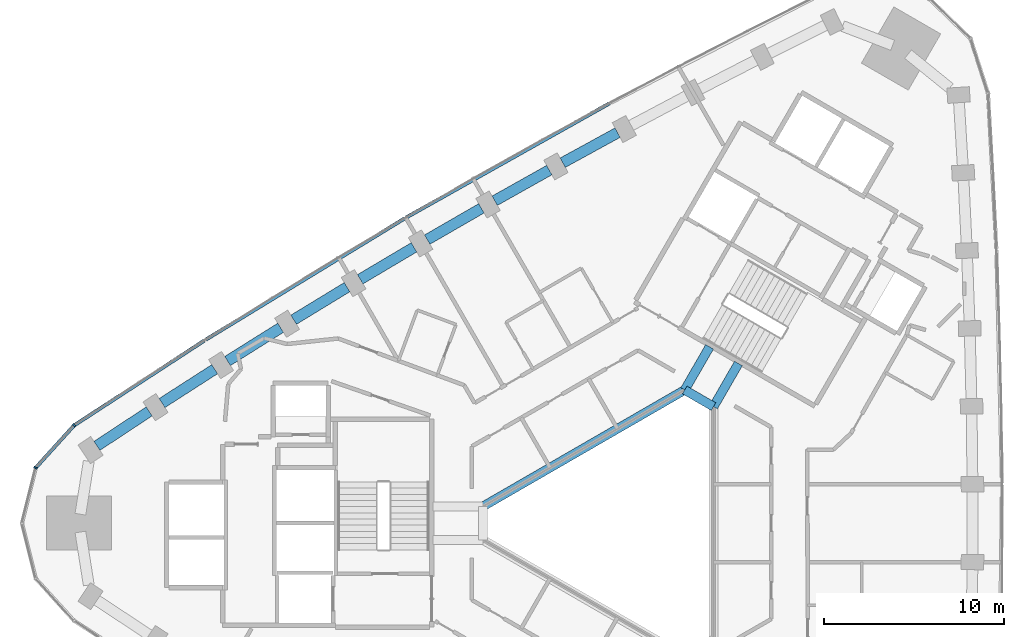
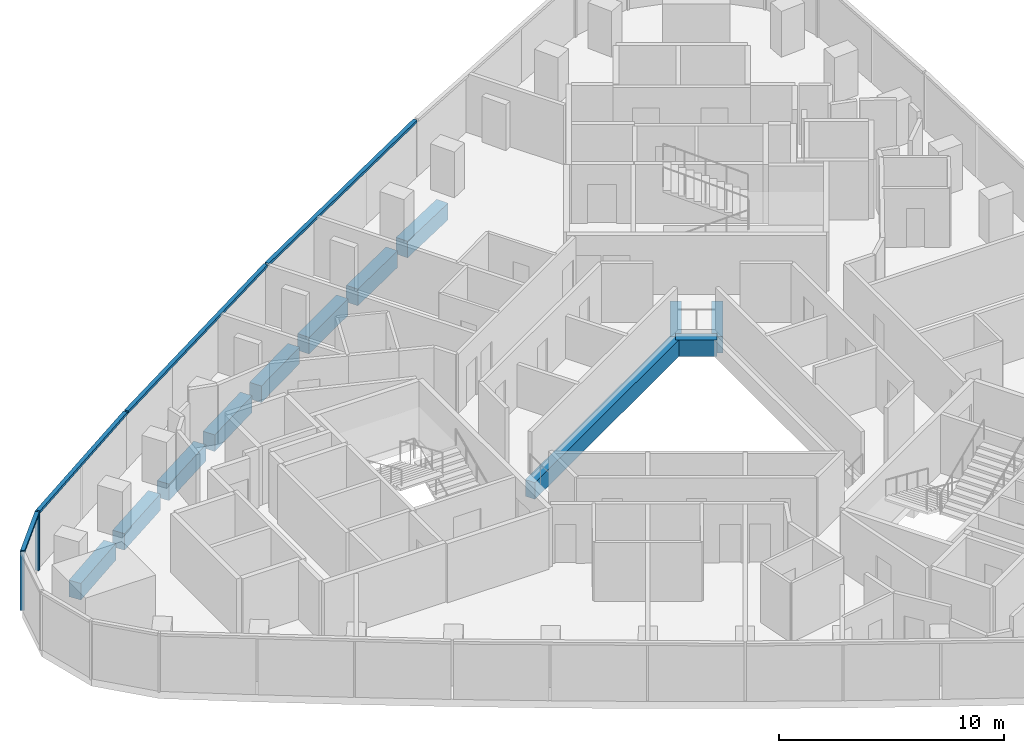
# One storey, part 4 of 13: 12 beams, 6 members, 1 element without a shape of its own.
"""IFC4 building model written with IfcOpenShell, lengths in metres."""

from ifc_helpers import new_model, si_unit, direction, frame, origin, origin_2d, place, context, subcontext, project, spatial, rectangle, extrude, material, material_profile, profile_set, type_object, element, aggregate, save


model = new_model("IFC4")

# Units and contexts
model_context = context("Model", 3, precision=1e-05, world=origin(), true_north=direction((0.0, 1.0)))
body_context = subcontext(model_context, "Body", "Model", "MODEL_VIEW")
ifc_project = project(units=[si_unit("LENGTHUNIT", "METRE"), si_unit("AREAUNIT", "SQUARE_METRE"), si_unit("VOLUMEUNIT", "CUBIC_METRE"), si_unit("PLANEANGLEUNIT", "RADIAN"), si_unit("MASSUNIT", "GRAM", prefix="KILO")], contexts=[model_context])

# Site, building, storey
site_placement = place(None, origin())
site = spatial("IfcSite", under=ifc_project, at=site_placement, CompositionType="ELEMENT")
building_placement = place(site_placement, origin())
building = spatial("IfcBuilding", under=site, at=building_placement, Name="Tamra Quay Hotel Tower", CompositionType="ELEMENT")
storey_placement = place(building_placement, frame((0.0, 0.0, 161.199951171875)))
storey = spatial("IfcBuildingStorey", under=building, at=storey_placement, Name="L40", CompositionType="ELEMENT", Elevation=161.199951171875)

# Beams
ifc_material_1 = material(Name="Concrete M60", Category="concrete")
ifc_material_profile_1 = material_profile(ifc_material_1, rectangle(XDim=0.5, YDim=0.89990234375, at=origin_2d()), Name="ATRIUM EDGE BEAM RC 500x900")
ifc_profile_set_1 = profile_set([ifc_material_profile_1], Name="Concrete M60")
beam_type_1 = type_object("IfcBeamType", Name="ATRIUM EDGE BEAM RC 500x900", PredefinedType="BEAM", material=ifc_profile_set_1)
beam_1_placement = place(storey_placement, frame((-8.0, 0.923828125, -0.849853515625), z_axis=(0.866024942741, 0.500000798549, 0.0), x_axis=(-0.500000798549, 0.866024942741, 0.0)))
element("IfcBeam", 1, at=beam_1_placement, inside=storey, type_object=beam_type_1, Name="BM-AB4-L40", PredefinedType="BEAM", context=body_context, shape_type="SweptSolid", body=[
    extrude(rectangle(XDim=0.5, YDim=0.89990234375, at=origin_2d()), origin(), (0.0, 0.0, 1.0), 12.9326171875),
])
beam_2_placement = place(storey_placement, frame((3.199951171875, 7.39013671875, -0.849853515625), z_axis=(0.86602275259, -0.500004591975, 0.0), x_axis=(0.500004591975, 0.86602275259, 0.0)))
element("IfcBeam", 2, at=beam_2_placement, inside=storey, type_object=beam_type_1, Name="BM-AB5-L40", PredefinedType="BEAM", context=body_context, shape_type="SweptSolid", body=[
    extrude(rectangle(XDim=0.5, YDim=0.89990234375, at=origin_2d()), origin(), (0.0, 0.0, 1.0), 1.84765625),
])
ifc_material_profile_2 = material_profile(ifc_material_1, rectangle(XDim=0.5, YDim=0.89990234375, at=origin_2d()), Name="ATRIUM TIE BEAM RC 500x900")
ifc_profile_set_2 = profile_set([ifc_material_profile_2], Name="Concrete M60")
beam_type_2 = type_object("IfcBeamType", Name="ATRIUM TIE BEAM RC 500x900", PredefinedType="BEAM", material=ifc_profile_set_2)
for number, where, z_axis, x_axis, name in (
    (3, (4.800048828125, 6.46630859375, -0.849853515625), (0.500008091576, 0.86602073206, 0.0), (-0.86602073206, 0.500008091576, 0.0), "BM-TIE-0-L40"),
    (4, (3.199951171875, 7.39013671875, -0.849853515625), (0.500008091576, 0.86602073206, 0.0), (-0.86602073206, 0.500008091576, 0.0), "BM-TIE-5-L40"),
):
    element("IfcBeam", number, at=place(storey_placement, frame(where, z_axis=z_axis, x_axis=x_axis)), inside=storey, type_object=beam_type_2, Name=name, PredefinedType="BEAM", context=body_context, shape_type="SweptSolid", body=[
        extrude(rectangle(XDim=0.5, YDim=0.89990234375, at=origin_2d()), origin(), (0.0, 0.0, 1.0), 2.76220703125),
    ])

# Curtain wall, members
ifc_material_2 = material(Name="Aluminium 6063 anodised dark grey", Category="aluminium")
curtain_wall_type = type_object("IfcCurtainWallType", Name="CW2 CURTAIN WALL", PredefinedType="NOTDEFINED", material=ifc_material_2)
curtain_wall_placement = place(storey_placement, origin())
curtain_wall = element("IfcCurtainWall", 5, at=curtain_wall_placement, inside=storey, type_object=curtain_wall_type, Name="CW2 north-west face L40", PredefinedType="NOTDEFINED")
ifc_material_profile_3 = material_profile(ifc_material_2, rectangle(XDim=0.199951171875, YDim=0.10009765625, at=origin_2d()), Name="MULLION 100X200")
ifc_profile_set_3 = profile_set([ifc_material_profile_3], Name="Aluminium 6063 anodised dark grey")
member_type_1 = type_object("IfcMemberType", Name="MULLION CW2 Z3", PredefinedType="MULLION", material=ifc_profile_set_3)
member_1_placement = place(storey_placement, frame((-30.688720703125, 5.424560546875, 0.0), z_axis=(0.0, 0.0, 1.0), x_axis=(-0.650989312843, 0.759086895266, 0.0)))
member_1 = element("IfcMember", 6, at=member_1_placement, type_object=member_type_1, Name="CW2 mullion L40.NW.12", PredefinedType="MULLION", context=body_context, shape_type="SweptSolid", body=[
    extrude(rectangle(XDim=0.199951171875, YDim=0.10009765625, at=origin_2d()), origin(), (0.0, 0.0, 1.0), 3.199951171875),
])
member_2_placement = place(storey_placement, frame((-32.81787109375, 3.075439453125, 0.0), z_axis=(0.0, 0.0, 1.0), x_axis=(-0.881925145425, 0.47138947577, 0.0)))
member_2 = element("IfcMember", 7, at=member_2_placement, type_object=member_type_1, Name="CW2 mullion L40.NW.13", PredefinedType="MULLION", context=body_context, shape_type="SweptSolid", body=[
    extrude(rectangle(XDim=0.199951171875, YDim=0.10009765625, at=origin_2d()), origin(), (0.0, 0.0, 1.0), 3.199951171875),
])

# Beams
ifc_material_profile_4 = material_profile(ifc_material_1, rectangle(XDim=0.60009765625, YDim=0.89990234375, at=origin_2d()), Name="SPANDREL BEAM RC 600x900")
ifc_profile_set_4 = profile_set([ifc_material_profile_4], Name="Concrete M60")
beam_type_3 = type_object("IfcBeamType", Name="SPANDREL BEAM RC 600x900", PredefinedType="SPANDREL", material=ifc_profile_set_4)
beam_3_placement = place(storey_placement, frame((-0.523681640625, 21.6669921875, -0.849853515625), z_axis=(-0.877731617539, -0.479152593202, 0.0), x_axis=(0.479152593202, -0.877731617539, 0.0)))
element("IfcBeam", 8, at=beam_3_placement, inside=storey, type_object=beam_type_3, Name="BM-SP3-016-L40", PredefinedType="SPANDREL", context=body_context, shape_type="SweptSolid", body=[
    extrude(rectangle(XDim=0.60009765625, YDim=0.89990234375, at=origin_2d()), origin(), (0.0, 0.0, 1.0), 3.472412109375),
])
beam_4_placement = place(storey_placement, frame((-4.315185546875, 19.59130859375, -0.849853515625), z_axis=(-0.871956406858, -0.489583521516, 0.0), x_axis=(0.489583521516, -0.871956406858, 0.0)))
element("IfcBeam", 9, at=beam_4_placement, inside=storey, type_object=beam_type_3, Name="BM-SP3-017-L40", PredefinedType="SPANDREL", context=body_context, shape_type="SweptSolid", body=[
    extrude(rectangle(XDim=0.60009765625, YDim=0.89990234375, at=origin_2d()), origin(), (0.0, 0.0, 1.0), 3.47265625),
])
beam_5_placement = place(storey_placement, frame((-8.081787109375, 17.470458984375, -0.849853515625), z_axis=(-0.866032201241, -0.499988226275, 0.0), x_axis=(0.499988226275, -0.866032201241, 0.0)))
element("IfcBeam", 10, at=beam_5_placement, inside=storey, type_object=beam_type_3, Name="BM-SP3-018-L40", PredefinedType="SPANDREL", context=body_context, shape_type="SweptSolid", body=[
    extrude(rectangle(XDim=0.60009765625, YDim=0.89990234375, at=origin_2d()), origin(), (0.0, 0.0, 1.0), 3.47216796875),
])
beam_6_placement = place(storey_placement, frame((-11.822509765625, 15.304931640625, -0.849853515625), z_axis=(-0.859988767784, -0.510312962098, 0.0), x_axis=(0.510312962098, -0.859988767784, 0.0)))
element("IfcBeam", 11, at=beam_6_placement, inside=storey, type_object=beam_type_3, Name="BM-SP3-019-L40", PredefinedType="SPANDREL", context=body_context, shape_type="SweptSolid", body=[
    extrude(rectangle(XDim=0.60009765625, YDim=0.89990234375, at=origin_2d()), origin(), (0.0, 0.0, 1.0), 3.472900390625),
])
for number, where, z_axis, x_axis, name in (
    (12, (-15.53759765625, 13.094482421875, -0.849853515625), (-0.853835813207, -0.520542413339, 0.0), (0.520542413339, -0.853835813207, 0.0), "BM-SP3-020-L40"),
    (13, (-19.225341796875, 10.840087890625, -0.849853515625), (-0.847547681474, -0.530719255, 0.0), (0.530719255, -0.847547681474, 0.0), "BM-SP3-021-L40"),
):
    element("IfcBeam", number, at=place(storey_placement, frame(where, z_axis=z_axis, x_axis=x_axis)), inside=storey, type_object=beam_type_3, Name=name, PredefinedType="SPANDREL", context=body_context, shape_type="SweptSolid", body=[
        extrude(rectangle(XDim=0.60009765625, YDim=0.89990234375, at=origin_2d()), origin(), (0.0, 0.0, 1.0), 3.47216796875),
    ])
beam_7_placement = place(storey_placement, frame((-22.885986328125, 8.5419921875, -0.849853515625), z_axis=(-0.84116020305, -0.540786013878, 0.0), x_axis=(0.540786013878, -0.84116020305, 0.0)))
element("IfcBeam", 14, at=beam_7_placement, inside=storey, type_object=beam_type_3, Name="BM-SP3-022-L40", PredefinedType="SPANDREL", context=body_context, shape_type="SweptSolid", body=[
    extrude(rectangle(XDim=0.60009765625, YDim=0.89990234375, at=origin_2d()), origin(), (0.0, 0.0, 1.0), 3.47314453125),
])
beam_8_placement = place(storey_placement, frame((-26.51953125, 6.199951171875, -0.849853515625), z_axis=(-0.834690851507, -0.55071878705, 0.0), x_axis=(0.55071878705, -0.834690851507, 0.0)))
element("IfcBeam", 15, at=beam_8_placement, inside=storey, type_object=beam_type_3, Name="BM-SP3-023-L40", PredefinedType="SPANDREL", context=body_context, shape_type="SweptSolid", body=[
    extrude(rectangle(XDim=0.60009765625, YDim=0.89990234375, at=origin_2d()), origin(), (0.0, 0.0, 1.0), 3.472412109375),
])

# Member
ifc_material_profile_5 = material_profile(ifc_material_2, rectangle(XDim=0.199951171875, YDim=0.139892578125, at=origin_2d()), Name="TRANSOM 200X140")
ifc_profile_set_5 = profile_set([ifc_material_profile_5], Name="Aluminium 6063 anodised dark grey")
member_type_2 = type_object("IfcMemberType", Name="TRANSOM CW2 Z3", PredefinedType="USERDEFINED", material=ifc_profile_set_5)
member_3_placement = place(storey_placement, frame((-0.97607421875, 23.298828125, 3.130126953125), z_axis=(-0.871933427446, -0.48962444598, 0.0), x_axis=(0.48962444598, -0.871933427446, 0.0)))
member_3 = element("IfcMember", 16, at=member_3_placement, type_object=member_type_2, Name="CW2 transom L40.NW.4", ObjectType="TRANSOM", PredefinedType="USERDEFINED", context=body_context, shape_type="SweptSolid", body=[
    extrude(rectangle(XDim=0.199951171875, YDim=0.139892578125, at=origin_2d()), origin(), (0.0, 0.0, 1.0), 12.926513671875),
])

member_4_placement = place(storey_placement, frame((-12.333251953125, 16.919189453125, 3.130126953125), z_axis=(-0.853831802217, -0.520548992433, 0.0), x_axis=(0.520548992433, -0.853831802217, 0.0)))
member_4 = element("IfcMember", 17, at=member_4_placement, type_object=member_type_2, Name="CW2 transom L40.NW.7", ObjectType="TRANSOM", PredefinedType="USERDEFINED", context=body_context, shape_type="SweptSolid", body=[
    extrude(rectangle(XDim=0.199951171875, YDim=0.139892578125, at=origin_2d()), origin(), (0.0, 0.0, 1.0), 12.92626953125),
])

member_5_placement = place(storey_placement, frame((-23.45458984375, 10.13671875, 3.130126953125), z_axis=(-0.837931839727, -0.545774891298, 0.0), x_axis=(0.545774891298, -0.837931839727, 0.0)))
member_5 = element("IfcMember", 18, at=member_5_placement, type_object=member_type_2, Name="CW2 transom L40.NW.10", ObjectType="TRANSOM", PredefinedType="USERDEFINED", context=body_context, shape_type="SweptSolid", body=[
    extrude(rectangle(XDim=0.199951171875, YDim=0.139892578125, at=origin_2d()), origin(), (0.0, 0.0, 1.0), 8.583740234375),
])

member_6_placement = place(storey_placement, frame((-30.722412109375, 5.387451171875, 3.130126953125), z_axis=(-0.671548073699, -0.740960987307, 0.0), x_axis=(0.740960987307, -0.671548073699, 0.0)))
member_6 = element("IfcMember", 19, at=member_6_placement, type_object=member_type_2, Name="CW2 transom L40.NW.12", ObjectType="TRANSOM", PredefinedType="USERDEFINED", context=body_context, shape_type="SweptSolid", body=[
    extrude(rectangle(XDim=0.199951171875, YDim=0.139892578125, at=origin_2d()), origin(), (0.0, 0.0, 1.0), 3.070556640625),
])

aggregate(curtain_wall, [member_3, member_4, member_5, member_1, member_6, member_2])

save(model, "model.ifc")
